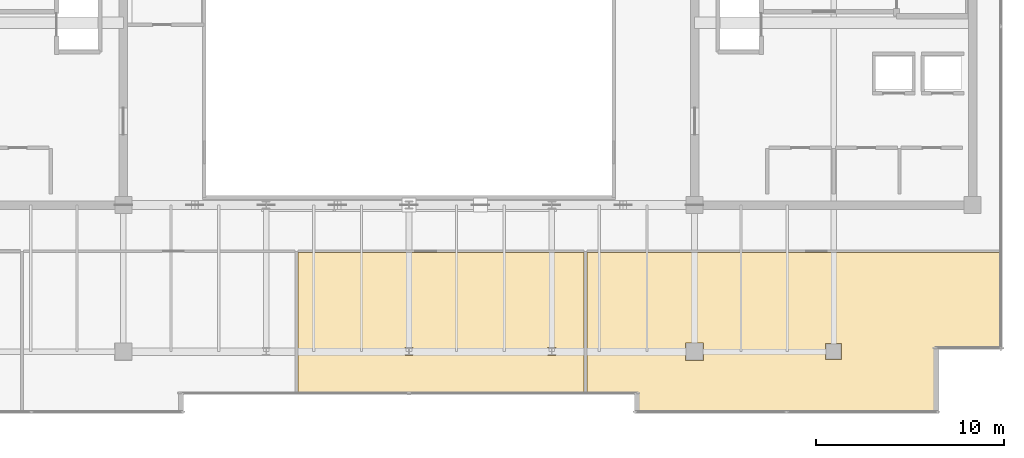
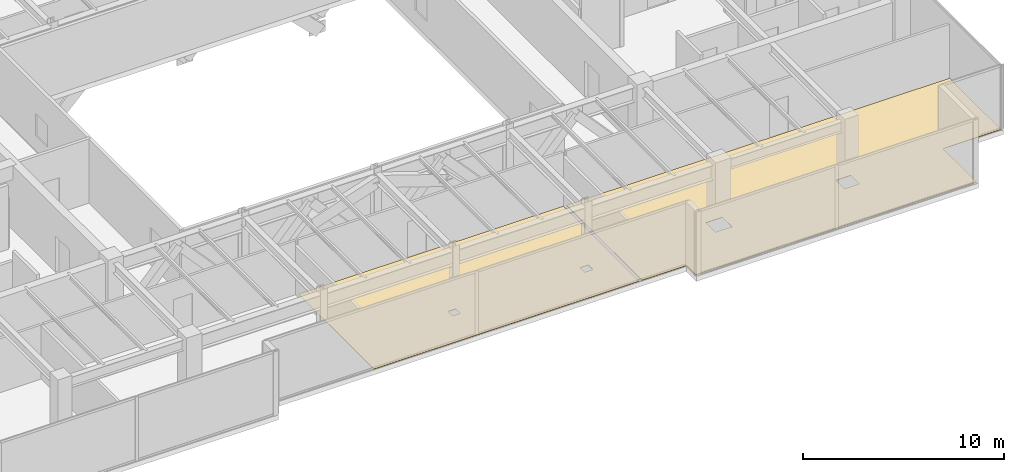
# One storey, part 30 of 32: 2 coverings.
"""IFC4 building model written with IfcOpenShell, lengths in metres."""

from ifc_helpers import new_model, si_unit, direction, frame, origin, place, context, subcontext, project, spatial, polyline, outline, extrude, material, layer, layer_set, type_object, element, save


model = new_model("IFC4")

# Units and contexts
model_context = context("Model", 3, precision=1e-05, world=origin(), true_north=direction((0.0, 1.0)))
body_context = subcontext(model_context, "Body", "Model", "MODEL_VIEW")
ifc_project = project(units=[si_unit("LENGTHUNIT", "METRE"), si_unit("AREAUNIT", "SQUARE_METRE"), si_unit("VOLUMEUNIT", "CUBIC_METRE"), si_unit("PLANEANGLEUNIT", "RADIAN"), si_unit("MASSUNIT", "GRAM", prefix="KILO")], contexts=[model_context])

# Site, building, storey
site_placement = place(None, origin())
site = spatial("IfcSite", under=ifc_project, at=site_placement, CompositionType="ELEMENT")
building_placement = place(site_placement, origin())
building = spatial("IfcBuilding", under=site, at=building_placement, Name="Haelvirn Gate Laboratories", CompositionType="ELEMENT")
storey_placement = place(building_placement, frame((0.0, 0.0, 314.39990234375)))
storey = spatial("IfcBuildingStorey", under=building, at=storey_placement, Name="L75", CompositionType="ELEMENT", Elevation=314.39990234375)

# Coverings
ifc_material = material(Name="Seamless chemical-resistant epoxy laboratory flooring")
ifc_layer = layer(ifc_material, 0.01806640625, Name="COV-FLR-RESIN")
ifc_layer_set = layer_set([ifc_layer], Name="Seamless chemical-resistant epoxy laboratory flooring")
covering_type = type_object("IfcCoveringType", Name="COV-FLR-RESIN", PredefinedType="FLOORING", material=ifc_layer_set)
covering_1_placement = place(storey_placement, origin())
element("IfcCovering", 1, at=covering_1_placement, inside=storey, type_object=covering_type, Name="L75 Seamless Laboratory Flooring FLR-SP-L75-S-03", PredefinedType="FLOORING", context=body_context, shape_type="SweptSolid", body=[
    extrude(outline(polyline([(31.47998046875, 4.739990234375), (31.47998046875, 12.27001953125), (46.719970703125, 12.27001953125), (46.719970703125, 4.739990234375), (31.47998046875, 4.739990234375)]), holes=[polyline([(37.179931640625, 6.780029296875), (37.6201171875, 6.780029296875), (37.6201171875, 7.219970703125), (37.179931640625, 7.219970703125), (37.179931640625, 6.780029296875)]), polyline([(44.780029296875, 7.219970703125), (44.780029296875, 6.780029296875), (45.219970703125, 6.780029296875), (45.219970703125, 7.219970703125), (44.780029296875, 7.219970703125)])]), origin(), (0.0, 0.0, 1.0), 0.01806640625),
])
covering_2_placement = place(storey_placement, origin())
element("IfcCovering", 2, at=covering_2_placement, inside=storey, type_object=covering_type, Name="L75 Seamless Laboratory Flooring FLR-SP-L75-S-04", PredefinedType="FLOORING", context=body_context, shape_type="SweptSolid", body=[
    extrude(outline(polyline([(65.60009765625, 7.139892578125), (65.59619140625, 7.139892578125), (65.59228515625, 7.13916015625), (65.58837890625, 7.13818359375), (65.584716796875, 7.136962890625), (65.5810546875, 7.13525390625), (65.577880859375, 7.13330078125), (65.57470703125, 7.130859375), (65.57177734375, 7.12841796875), (65.569091796875, 7.12548828125), (65.566650390625, 7.122314453125), (65.564697265625, 7.118896484375), (65.56298828125, 7.115234375), (65.561767578125, 7.111572265625), (65.560791015625, 7.10791015625), (65.560302734375, 7.10400390625), (65.56005859375, 7.10009765625), (65.56005859375, 3.81005859375), (49.43994140625, 3.81005859375), (49.43994140625, 4.699951171875), (49.439697265625, 4.703857421875), (49.439208984375, 4.707763671875), (49.438232421875, 4.711669921875), (49.43701171875, 4.71533203125), (49.435302734375, 4.718994140625), (49.433349609375, 4.72216796875), (49.430908203125, 4.725341796875), (49.42822265625, 4.728271484375), (49.42529296875, 4.73095703125), (49.422119140625, 4.7333984375), (49.4189453125, 4.7353515625), (49.415283203125, 4.737060546875), (49.41162109375, 4.73828125), (49.40771484375, 4.7392578125), (49.40380859375, 4.73974609375), (49.39990234375, 4.739990234375), (46.8798828125, 4.739990234375), (46.8798828125, 12.27001953125), (68.889892578125, 12.27001953125), (68.889892578125, 7.139892578125), (65.60009765625, 7.139892578125)]), holes=[polyline([(52.1298828125, 6.530029296875), (53.070068359375, 6.530029296875), (53.070068359375, 7.469970703125), (52.1298828125, 7.469970703125), (52.1298828125, 6.530029296875)]), polyline([(59.580078125, 7.419921875), (59.580078125, 6.580078125), (60.419921875, 6.580078125), (60.419921875, 7.419921875), (59.580078125, 7.419921875)])]), origin(), (0.0, 0.0, 1.0), 0.01806640625),
])

save(model, "model.ifc")
